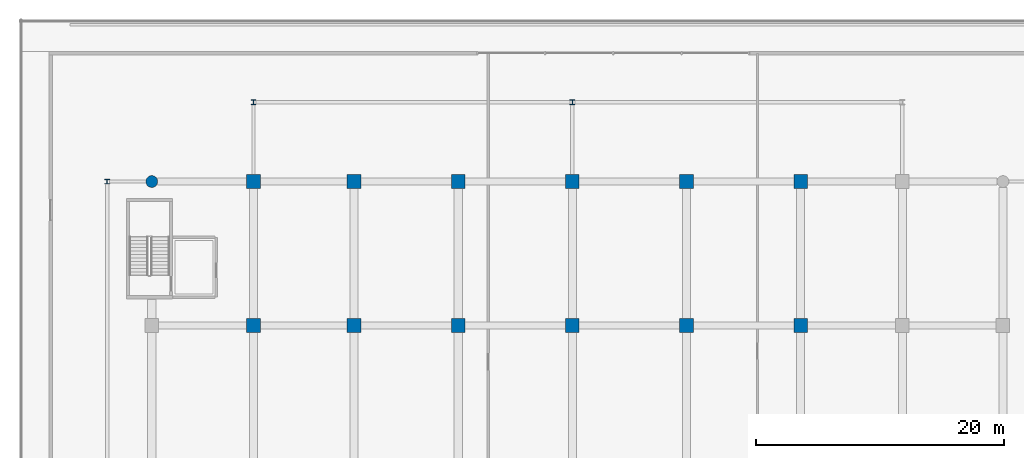
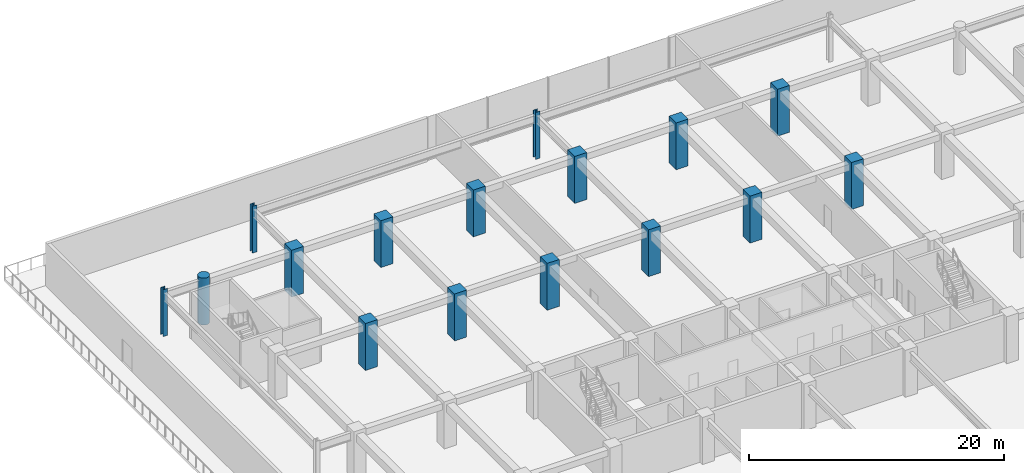
# One storey, part 5 of 40: 16 columns.
"""IFC4 building model written with IfcOpenShell, lengths in metres."""

from ifc_helpers import new_model, si_unit, direction, frame, origin, origin_2d, place, context, subcontext, project, spatial, rectangle, circle, i_section, extrude, material, material_profile, profile_set, type_object, element, save


model = new_model("IFC4")

# Units and contexts
model_context = context("Model", 3, precision=1e-05, world=origin(), true_north=direction((0.0, 1.0)))
body_context = subcontext(model_context, "Body", "Model", "MODEL_VIEW")
ifc_project = project(units=[si_unit("LENGTHUNIT", "METRE"), si_unit("AREAUNIT", "SQUARE_METRE"), si_unit("VOLUMEUNIT", "CUBIC_METRE"), si_unit("PLANEANGLEUNIT", "RADIAN"), si_unit("MASSUNIT", "GRAM", prefix="KILO")], contexts=[model_context])

# Site, building, storey
site_placement = place(None, origin())
site = spatial("IfcSite", under=ifc_project, at=site_placement, CompositionType="ELEMENT")
building_placement = place(site_placement, origin())
building = spatial("IfcBuilding", under=site, at=building_placement, Name="Korimba Cascade Residences", CompositionType="ELEMENT")
storey_placement = place(building_placement, frame((0.0, 0.0, 14.5)))
storey = spatial("IfcBuildingStorey", under=building, at=storey_placement, Name="L03", CompositionType="ELEMENT", Elevation=14.5)

# Columns
ifc_material_1 = material(Name="Concrete C80/95", Category="concrete")
ifc_material_profile_1 = material_profile(ifc_material_1, rectangle(XDim=1.10009765625, YDim=1.10009765625, at=origin_2d()), Name="Concrete C80/95")
ifc_profile_set_1 = profile_set([ifc_material_profile_1], Name="Concrete C80/95")
column_type_1 = type_object("IfcColumnType", Name="COL-RC-1100", PredefinedType="COLUMN", material=ifc_profile_set_1)
for number, where, z_axis, x_axis, name in (
    (1, (68.0, 79.60009765625, 0.0), (0.0, 0.0, 1.0), (1.0, 0.0, 0.0), "L03 Tower 1 Column 2.3"),
    (2, (68.0, 91.199951171875, 0.0), (0.0, 0.0, 1.0), (1.0, 0.0, 0.0), "L03 Tower 1 Column 2.4"),
    (3, (76.10009765625, 79.60009765625, 0.0), (0.0, 0.0, 1.0), (1.0, 0.0, 0.0), "L03 Tower 1 Column 3.3"),
    (4, (76.10009765625, 91.199951171875, 0.0), (0.0, 0.0, 1.0), (1.0, 0.0, 0.0), "L03 Tower 1 Column 3.4"),
    (5, (84.5, 79.60009765625, 0.0), (0.0, 0.0, 1.0), (1.0, 0.0, 0.0), "L03 Tower 1 Column 4.3"),
    (6, (84.5, 91.199951171875, 0.0), (0.0, 0.0, 1.0), (1.0, 0.0, 0.0), "L03 Tower 1 Column 4.4"),
    (7, (93.699951171875, 79.60009765625, 0.0), (0.0, 0.0, 1.0), (1.0, 0.0, 0.0), "L03 Tower 1 Column 5.3"),
    (8, (93.699951171875, 91.199951171875, 0.0), (0.0, 0.0, 1.0), (1.0, 0.0, 0.0), "L03 Tower 1 Column 5.4"),
    (9, (102.89990234375, 79.60009765625, 0.0), (0.0, 0.0, 1.0), (1.0, 0.0, 0.0), "L03 Tower 1 Column 6.3"),
    (10, (102.89990234375, 91.199951171875, 0.0), (0.0, 0.0, 1.0), (1.0, 0.0, 0.0), "L03 Tower 1 Column 6.4"),
    (11, (112.10009765625, 79.60009765625, 0.0), (0.0, 0.0, 1.0), (1.0, 0.0, 0.0), "L03 Tower 1 Column 7.3"),
    (12, (112.10009765625, 91.199951171875, 0.0), (0.0, 0.0, 1.0), (1.0, 0.0, 0.0), "L03 Tower 1 Column 7.4"),
):
    element("IfcColumn", number, at=place(storey_placement, frame(where, z_axis=z_axis, x_axis=x_axis)), inside=storey, type_object=column_type_1, Name=name, PredefinedType="COLUMN", context=body_context, shape_type="SweptSolid", body=[
        extrude(rectangle(XDim=1.10009765625, YDim=1.10009765625, at=origin_2d()), origin(), (0.0, 0.0, 1.0), 4.5),
    ])
ifc_material_profile_2 = material_profile(ifc_material_1, circle(Radius=0.47509765625, at=origin_2d()), Name="Concrete C80/95")
ifc_profile_set_2 = profile_set([ifc_material_profile_2], Name="Concrete C80/95")
column_type_2 = type_object("IfcColumnType", Name="COL-RC-D950", PredefinedType="COLUMN", material=ifc_profile_set_2)
column_placement = place(storey_placement, frame((59.800048828125, 91.199951171875, 0.0), z_axis=(0.0, 0.0, 1.0), x_axis=(1.0, 0.0, 0.0)))
element("IfcColumn", 13, at=column_placement, inside=storey, type_object=column_type_2, Name="L03 Tower 1 Column 1.4", PredefinedType="COLUMN", context=body_context, shape_type="SweptSolid", body=[
    extrude(circle(Radius=0.47509765625, at=origin_2d()), origin(), (0.0, 0.0, 1.0), 4.5),
])
ifc_material_2 = material(Name="Steel S355", Category="steel")
ifc_material_profile_3 = material_profile(ifc_material_2, i_section(OverallWidth=0.39892578125, OverallDepth=0.3935546875, WebThickness=0.022705078125, FlangeThickness=0.03662109375, FilletRadius=0.01513671875, at=origin_2d()), Name="Steel S355")
ifc_profile_set_3 = profile_set([ifc_material_profile_3], Name="Steel S355")
column_type_3 = type_object("IfcColumnType", Name="COL-STL-UC287", PredefinedType="COLUMN", material=ifc_profile_set_3)
for number, where, z_axis, x_axis, name in (
    (14, (56.199951171875, 91.199951171875, 0.0), (0.0, 0.0, 1.0), (1.0, 0.0, 0.0), "L03 Podium Column PCW4"),
    (15, (68.0, 97.60009765625, 0.0), (0.0, 0.0, 1.0), (1.0, 0.0, 0.0), "L03 Podium Column PCN1"),
    (16, (93.699951171875, 97.60009765625, 0.0), (0.0, 0.0, 1.0), (1.0, 0.0, 0.0), "L03 Podium Column PCN2"),
):
    element("IfcColumn", number, at=place(storey_placement, frame(where, z_axis=z_axis, x_axis=x_axis)), inside=storey, type_object=column_type_3, Name=name, PredefinedType="COLUMN", context=body_context, shape_type="SweptSolid", body=[
        extrude(i_section(OverallWidth=0.39892578125, OverallDepth=0.3935546875, WebThickness=0.022705078125, FlangeThickness=0.03662109375, FilletRadius=0.01513671875, at=origin_2d()), origin(), (0.0, 0.0, 1.0), 4.5),
    ])

save(model, "model.ifc")
